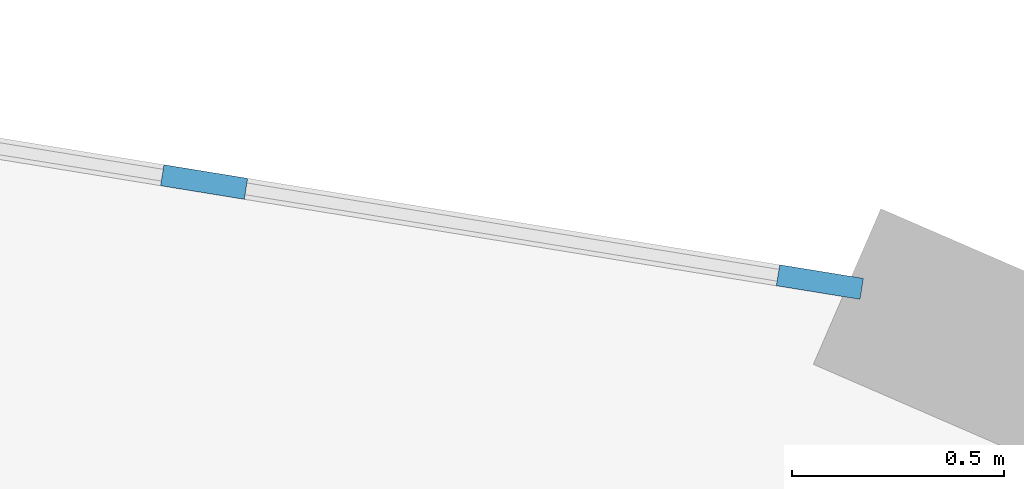
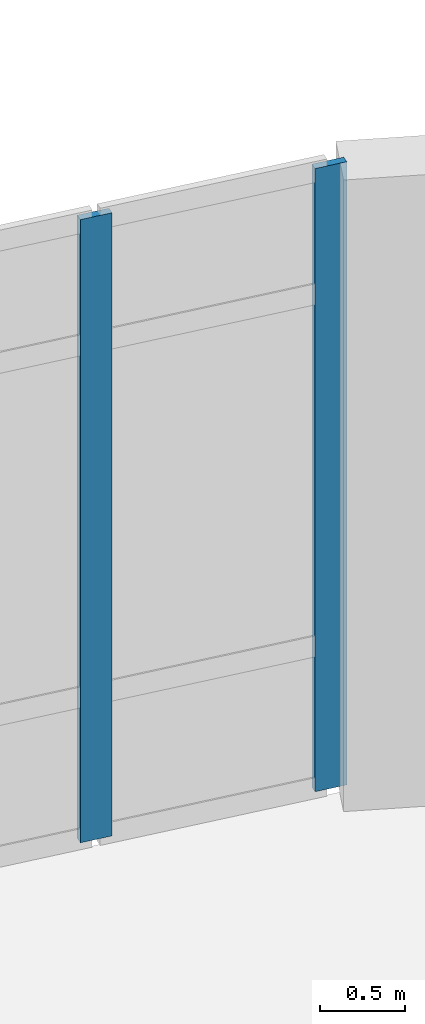
# One storey, part 47 of 86: 2 members, 1 element without a shape of its own.
"""IFC4 building model written with IfcOpenShell, lengths in metres."""

from ifc_helpers import new_model, si_unit, direction, frame, origin, origin_2d, place, context, subcontext, project, spatial, rectangle, extrude, material, material_profile, profile_set, type_object, element, aggregate, save


model = new_model("IFC4")

# Units and contexts
model_context = context("Model", 3, precision=1e-05, world=origin(), true_north=direction((0.0, 1.0)))
body_context = subcontext(model_context, "Body", "Model", "MODEL_VIEW")
ifc_project = project(units=[si_unit("LENGTHUNIT", "METRE"), si_unit("AREAUNIT", "SQUARE_METRE"), si_unit("VOLUMEUNIT", "CUBIC_METRE"), si_unit("PLANEANGLEUNIT", "RADIAN"), si_unit("MASSUNIT", "GRAM", prefix="KILO")], contexts=[model_context])

# Site, building, storey
site_placement = place(None, origin())
site = spatial("IfcSite", under=ifc_project, at=site_placement, CompositionType="ELEMENT")
building_placement = place(site_placement, origin())
building = spatial("IfcBuilding", under=site, at=building_placement, Name="Glasvene Arena", CompositionType="ELEMENT")
storey_placement = place(building_placement, frame((0.0, 0.0, 5.39990234375)))
storey = spatial("IfcBuildingStorey", under=building, at=storey_placement, Name="L01", CompositionType="ELEMENT", Elevation=5.39990234375)

# Curtain wall, members
ifc_material_1 = material(Name="Low-emissivity laminated double glazing", Category="glass")
curtain_wall_type = type_object("IfcCurtainWallType", Name="CW-FAC-L01-1047x446", PredefinedType="USERDEFINED", material=ifc_material_1)
curtain_wall_placement = place(storey_placement, frame((115.242431640625, 117.99365234375, 0.0)))
curtain_wall = element("IfcCurtainWall", 1, at=curtain_wall_placement, inside=storey, type_object=curtain_wall_type, Name="Unitised curtain wall CW-F-L01-180-1204-1172-16", ObjectType="CURTAIN WALL", PredefinedType="USERDEFINED")
ifc_material_2 = material(Name="Anodised architectural aluminium", Category="aluminium")
ifc_material_profile = material_profile(ifc_material_2, rectangle(XDim=0.050048828125, YDim=0.199951171875, at=origin_2d()), Name="ALU MULLION 50x200")
ifc_profile_set = profile_set([ifc_material_profile], Name="Anodised architectural aluminium")
member_type = type_object("IfcMemberType", Name="CW-MUL-180", PredefinedType="MULLION", material=ifc_profile_set)
member_1_placement = place(storey_placement, frame((124.10302734375, 116.553955078125, 0.06005859375), z_axis=(0.0, 0.0, 1.0), x_axis=(0.160367114184, 0.987057439407, 0.0)))
member_1 = element("IfcMember", 2, at=member_1_placement, type_object=member_type, Name="CW-008 mullion 7", PredefinedType="MULLION", context=body_context, shape_type="SweptSolid", body=[
    extrude(rectangle(XDim=0.050048828125, YDim=0.199951171875, at=origin_2d()), origin(), (0.0, 0.0, 1.0), 4.4599609375),
])
member_2_placement = place(storey_placement, frame((125.554931640625, 116.318115234375, 0.06005859375), z_axis=(0.0, 0.0, 1.0), x_axis=(0.160367114184, 0.987057439407, 0.0)))
member_2 = element("IfcMember", 3, at=member_2_placement, type_object=member_type, Name="CW-008 mullion 8", PredefinedType="MULLION", context=body_context, shape_type="SweptSolid", body=[
    extrude(rectangle(XDim=0.050048828125, YDim=0.199951171875, at=origin_2d()), origin(), (0.0, 0.0, 1.0), 4.4599609375),
])
aggregate(curtain_wall, [member_1, member_2])

save(model, "model.ifc")
